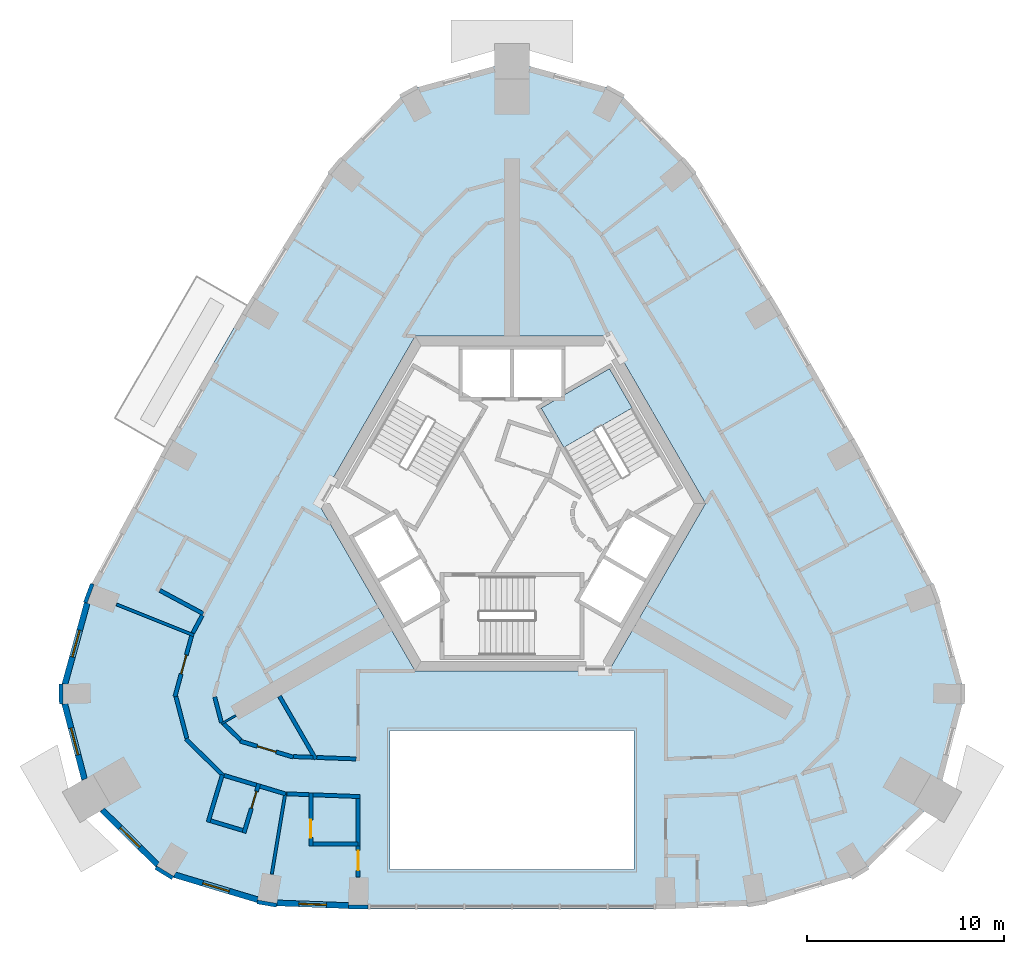
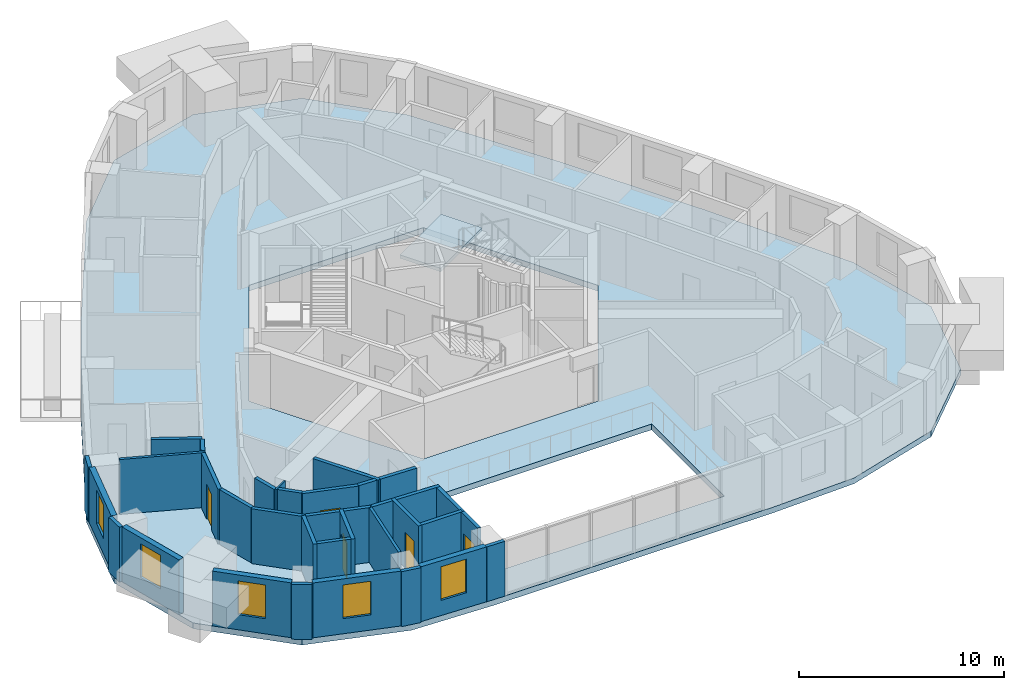
# One storey, part 3 of 11: 35 walls, 5 doors, 5 windows, 2 slabs, 10 openings, 1 element without a shape of its own.
"""IFC4 building model written with IfcOpenShell, lengths in metres."""

from ifc_helpers import new_model, si_unit, direction, frame, frame_2d, origin, place, context, subcontext, project, spatial, polyline, rectangle, outline, extrude, material, layer, layer_set, type_object, element, fill, aggregate, save


model = new_model("IFC4")

# Units and contexts
model_context = context("Model", 3, precision=1e-05, world=origin(), true_north=direction((0.0, 1.0)))
body_context = subcontext(model_context, "Body", "Model", "MODEL_VIEW")
ifc_project = project(units=[si_unit("LENGTHUNIT", "METRE"), si_unit("AREAUNIT", "SQUARE_METRE"), si_unit("VOLUMEUNIT", "CUBIC_METRE"), si_unit("PLANEANGLEUNIT", "RADIAN"), si_unit("MASSUNIT", "GRAM", prefix="KILO")], contexts=[model_context])

# Site, building, storey
site_placement = place(None, origin())
site = spatial("IfcSite", under=ifc_project, at=site_placement, CompositionType="ELEMENT")
building_placement = place(site_placement, origin())
building = spatial("IfcBuilding", under=site, at=building_placement, Name="Entoto Arch Interchange Tower", CompositionType="ELEMENT")
storey_placement = place(building_placement, frame((0.0, 0.0, 304.39990234375)))
storey = spatial("IfcBuildingStorey", under=building, at=storey_placement, Name="L71", CompositionType="ELEMENT", Elevation=304.39990234375)

# Stair, slab
ifc_material_1 = material(Name="Concrete C40/50", Category="concrete")
stair_type = type_object("IfcStairType", Name="EXIT STAIR RC 1800", PredefinedType="HALF_TURN_STAIR", material=ifc_material_1)
stair_placement = place(storey_placement, origin())
stair = element("IfcStair", 1, at=stair_placement, inside=storey, type_object=stair_type, Name="L71 Exit stair NE", PredefinedType="HALF_TURN_STAIR")
ifc_layer_1 = layer(ifc_material_1, 0.199951171875)
ifc_layer_set_1 = layer_set([ifc_layer_1], Name="Concrete C40/50")
slab_type_1 = type_object("IfcSlabType", Name="EXIT STAIR LANDING RC 200", PredefinedType="LANDING", material=ifc_layer_set_1)
slab_1_placement = place(storey_placement, frame((0.0, 0.0, 1.60009765625)))
slab_1 = element("IfcSlab", 2, at=slab_1_placement, type_object=slab_type_1, Name="ST-NE landing 1", PredefinedType="LANDING", context=body_context, shape_type="SweptSolid", body=[
    extrude(outline(polyline([(6.093505859375, 7.345947265625), (4.943359375, 9.337890625), (1.479248046875, 7.337890625), (2.62939453125, 5.345947265625), (6.093505859375, 7.345947265625)])), origin(), (0.0, 0.0, 1.0), 0.199951171875),
])
aggregate(stair, [slab_1])

# Slab
ifc_layer_2 = layer(ifc_material_1, 0.340087890625)
ifc_layer_set_2 = layer_set([ifc_layer_2], Name="Concrete C40/50")
slab_type_2 = type_object("IfcSlabType", Name="Post-tensioned flat plate 340 C40/50", PredefinedType="FLOOR", material=ifc_layer_set_2)
slab_2_placement = place(storey_placement, frame((0.0, 0.0, -0.33984375)))
element("IfcSlab", 3, at=slab_2_placement, inside=storey, type_object=slab_type_2, Name="Floor slab L71", PredefinedType="FLOOR", context=body_context, shape_type="SweptSolid", body=[
    extrude(outline(polyline([(-12.447998046875, -17.889892578125), (-7.800048828125, -18.06396484375), (7.800048828125, -18.06396484375), (12.447998046875, -17.889892578125), (17.69189453125, -16.31201171875), (21.583984375, -12.4609375), (22.971923828125, -7.1650390625), (21.556884765625, -2.01708984375), (17.595947265625, 5.35791015625), (13.43798828125, 12.56005859375), (9.031982421875, 19.677001953125), (5.281005859375, 23.47705078125), (0.0, 24.923095703125), (-5.281005859375, 23.47705078125), (-9.031982421875, 19.677001953125), (-13.43798828125, 12.56005859375), (-17.595947265625, 5.35791015625), (-21.556884765625, -2.01708984375), (-22.971923828125, -7.1650390625), (-21.583984375, -12.4609375), (-17.69189453125, -16.31201171875), (-12.447998046875, -17.889892578125)]), holes=[polyline([(6.199951171875, -16.06396484375), (6.199951171875, -9.0), (-6.199951171875, -9.0), (-6.199951171875, -16.06396484375), (6.199951171875, -16.06396484375)]), polyline([(9.81494140625, 2.5), (4.906982421875, 11.0), (-4.906982421875, 11.0), (-9.81494140625, 2.5), (-4.906982421875, -6.0), (4.906982421875, -6.0), (9.81494140625, 2.5)])]), origin(), (0.0, 0.0, 1.0), 0.33984375),
])

# Walls
ifc_material_2 = material(Name="Gypsum board partition on steel studs", Category="steel")
ifc_layer_3 = layer(ifc_material_2, 0.10009765625)
ifc_layer_set_3 = layer_set([ifc_layer_3], Name="Gypsum board partition on steel studs")
wall_type_1 = type_object("IfcWallType", Name="PARTITION 100", PredefinedType="PARTITIONING", material=ifc_layer_set_3)
wall_1_placement = place(storey_placement, frame((-14.001953125, -8.248046875, 0.0), z_axis=(0.0, 0.0, 1.0), x_axis=(-0.866142766235, -0.499796667154, 0.0)))
element("IfcWall", 4, at=wall_1_placement, inside=storey, type_object=wall_type_1, Name="wall:L71:p089", PredefinedType="PARTITIONING", context=body_context, shape_type="SweptSolid", body=[
    extrude(rectangle(XDim=0.854248046875, YDim=0.10009765625, at=frame_2d((0.42724609375, 0.0))), origin(), (0.0, 0.0, 1.0), 3.260009765625),
])
ifc_layer_4 = layer(ifc_material_2, 0.14990234375)
ifc_layer_set_4 = layer_set([ifc_layer_4], Name="Gypsum board partition on steel studs")
wall_type_2 = type_object("IfcWallType", Name="PARTITION 150", PredefinedType="PARTITIONING", material=ifc_layer_set_4)
wall_2_placement = place(storey_placement, frame((-16.137939453125, -4.18505859375, 0.0), z_axis=(0.0, 0.0, 1.0), x_axis=(-0.928432751736, 0.371500505388, 0.0)))
element("IfcWall", 5, at=wall_2_placement, inside=storey, type_object=wall_type_2, Name="wall:L71:p124", PredefinedType="PARTITIONING", context=body_context, shape_type="SweptSolid", body=[
    extrude(rectangle(XDim=4.2158203125, YDim=0.14990234375, at=frame_2d((2.10791015625, 0.0))), origin(), (0.0, 0.0, 1.0), 3.260009765625),
])
wall_3_placement = place(storey_placement, frame((-11.488037109375, -12.123046875, 0.0), z_axis=(0.0, 0.0, 1.0), x_axis=(-0.164174159643, -0.986431368776, 0.0)))
element("IfcWall", 6, at=wall_3_placement, inside=storey, type_object=wall_type_2, Name="wall:L71:p128", PredefinedType="PARTITIONING", context=body_context, shape_type="SweptSolid", body=[
    extrude(rectangle(XDim=4.226318359375, YDim=0.14990234375, at=frame_2d((2.11328125, 0.0))), origin(), (0.0, 0.0, 1.0), 3.260009765625),
])
ifc_layer_5 = layer(ifc_material_2, 0.199951171875)
ifc_layer_set_5 = layer_set([ifc_layer_5], Name="Gypsum board partition on steel studs")
wall_type_3 = type_object("IfcWallType", Name="PARTITION 200", PredefinedType="PARTITIONING", material=ifc_layer_set_5)
wall_4_placement = place(storey_placement, frame((-9.902099609375, -10.3798828125, 0.0), z_axis=(0.0, 0.0, 1.0), x_axis=(0.999295503749, -0.037529937222, 0.0)))
element("IfcWall", 7, at=wall_4_placement, inside=storey, type_object=wall_type_3, Name="wall:L71:p024", PredefinedType="PARTITIONING", context=body_context, shape_type="SweptSolid", body=[
    extrude(rectangle(XDim=2.003662109375, YDim=0.199951171875, at=frame_2d((1.001953125, 0.0))), origin(), (0.0, 0.0, 1.0), 3.260009765625),
])
wall_5_placement = place(storey_placement, frame((-15.077880859375, -7.30908203125, 0.0), z_axis=(0.0, 0.0, 1.0), x_axis=(0.254014079025, -0.967200520914, 0.0)))
element("IfcWall", 8, at=wall_5_placement, inside=storey, type_object=wall_type_3, Name="wall:L71:p027", PredefinedType="PARTITIONING", context=body_context, shape_type="SweptSolid", body=[
    extrude(rectangle(XDim=1.354248046875, YDim=0.199951171875, at=frame_2d((0.67724609375, 0.0))), origin(), (0.0, 0.0, 1.0), 3.260009765625),
])
wall_6_placement = place(storey_placement, frame((-14.6201171875, -8.659912109375, 0.0), z_axis=(0.0, 0.0, 1.0), x_axis=(0.710838137113, -0.703355630407, 0.0)))
element("IfcWall", 9, at=wall_6_placement, inside=storey, type_object=wall_type_3, Name="wall:L71:p028", PredefinedType="PARTITIONING", context=body_context, shape_type="SweptSolid", body=[
    extrude(rectangle(XDim=1.207275390625, YDim=0.199951171875, at=frame_2d((0.603515625, 0.0))), origin(), (0.0, 0.0, 1.0), 3.260009765625),
])

# Wall, opening, door
wall_7_placement = place(storey_placement, frame((-13.787109375, -9.550048828125, 0.0), z_axis=(0.0, 0.0, 1.0), x_axis=(0.957493454064, -0.288454997225, 0.0)))
wall_7 = element("IfcWall", 10, at=wall_7_placement, inside=storey, type_object=wall_type_3, Name="wall:L71:p029", PredefinedType="PARTITIONING", context=body_context, shape_type="SweptSolid", body=[
    extrude(rectangle(XDim=2.811767578125, YDim=0.199951171875, at=frame_2d((1.40576171875, 0.0))), origin(), (0.0, 0.0, 1.0), 3.260009765625),
])
opening_1_placement = place(wall_7_placement, frame((0.906005859375, 0.0, 0.0)))
opening_1 = element("IfcOpeningElement", 11, at=opening_1_placement, cuts=wall_7, Name="Opening L71-D31", PredefinedType="OPENING", context=body_context, shape_type="SweptSolid", body=[
    extrude(rectangle(XDim=1.0, YDim=2.10009765625, at=frame_2d((0.5, 1.050048828125))), frame((0.0, 0.10986328125, 0.0), z_axis=(0.0, -1.0, 0.0), x_axis=(1.0, 0.0, 0.0)), (0.0, 0.0, 1.0), 0.219970703125),
])
ifc_material_3 = material(Name="Timber door leaf in Steel S235 frame", Category="steel")
door_type_1 = type_object("IfcDoorType", Name="DOOR DS-10 1000x2100", OperationType="SINGLE_SWING_LEFT", PredefinedType="DOOR", material=ifc_material_3)
door_1_placement = place(opening_1_placement, origin())
door_1 = element("IfcDoor", 12, at=door_1_placement, inside=storey, type_object=door_type_1, Name="door:L71:31", OperationType="SINGLE_SWING_LEFT", OverallHeight=2.10009765625, OverallWidth=1.0, PredefinedType="DOOR", context=body_context, shape_type="SweptSolid", body=[
    extrude(rectangle(XDim=1.0, YDim=2.10009765625, at=frame_2d((0.5, 1.050048828125))), frame((0.0, 0.02490234375, 0.0), z_axis=(0.0, -1.0, 0.0), x_axis=(1.0, 0.0, 0.0)), (0.0, 0.0, 1.0), 0.050048828125),
])
fill(opening_1, door_1)

# Walls
wall_8_placement = place(storey_placement, frame((-11.091064453125, -10.3349609375, 0.0), z_axis=(0.0, 0.0, 1.0), x_axis=(0.999296807198, -0.037495214686, 0.0)))
element("IfcWall", 13, at=wall_8_placement, inside=storey, type_object=wall_type_3, Name="wall:L71:p030", PredefinedType="PARTITIONING", context=body_context, shape_type="SweptSolid", body=[
    extrude(rectangle(XDim=0.98974609375, YDim=0.199951171875, at=frame_2d((0.494873046875, 0.0))), origin(), (0.0, 0.0, 1.0), 3.260009765625),
])
wall_9_placement = place(storey_placement, frame((-16.18408203125, -4.05908203125, 0.0), z_axis=(0.0, 0.0, 1.0), x_axis=(0.473039108954, 0.881041430013, 0.0)))
element("IfcWall", 14, at=wall_9_placement, inside=storey, type_object=wall_type_3, Name="wall:L71:p054", PredefinedType="PARTITIONING", context=body_context, shape_type="SweptSolid", body=[
    extrude(rectangle(XDim=1.002197265625, YDim=0.199951171875, at=frame_2d((0.5009765625, 0.0))), origin(), (0.0, 0.0, 1.0), 3.260009765625),
])
wall_10_placement = place(storey_placement, frame((-11.48095703125, -12.22900390625, 0.0), z_axis=(0.0, 0.0, 1.0), x_axis=(-0.957537616046, 0.288308365917, 0.0)))
element("IfcWall", 15, at=wall_10_placement, inside=storey, type_object=wall_type_3, Name="wall:L71:p056", PredefinedType="PARTITIONING", context=body_context, shape_type="SweptSolid", body=[
    extrude(rectangle(XDim=1.352294921875, YDim=0.199951171875, at=frame_2d((0.67626953125, 0.0))), origin(), (0.0, 0.0, 1.0), 3.260009765625),
])
wall_11_placement = place(storey_placement, frame((-14.6201171875, -11.3330078125, 0.0), z_axis=(0.0, 0.0, 1.0), x_axis=(-0.710808598142, 0.703385482369, 0.0)))
element("IfcWall", 16, at=wall_11_placement, inside=storey, type_object=wall_type_3, Name="wall:L71:p057", PredefinedType="PARTITIONING", context=body_context, shape_type="SweptSolid", body=[
    extrude(rectangle(XDim=2.697021484375, YDim=0.199951171875, at=frame_2d((1.3486328125, 0.0))), origin(), (0.0, 0.0, 1.0), 3.260009765625),
])
wall_12_placement = place(storey_placement, frame((-16.490966796875, -9.409912109375, 0.0), z_axis=(0.0, 0.0, 1.0), x_axis=(-0.253618393349, 0.967304352598, 0.0)))
element("IfcWall", 17, at=wall_12_placement, inside=storey, type_object=wall_type_3, Name="wall:L71:p058", PredefinedType="PARTITIONING", context=body_context, shape_type="SweptSolid", body=[
    extrude(rectangle(XDim=2.184326171875, YDim=0.199951171875, at=frame_2d((1.09228515625, 0.0))), origin(), (0.0, 0.0, 1.0), 3.260009765625),
])

# Wall, opening, door
wall_13_placement = place(storey_placement, frame((-17.096923828125, -7.297119140625, 0.0), z_axis=(0.0, 0.0, 1.0), x_axis=(0.264861686213, 0.964286413456, 0.0)))
wall_13 = element("IfcWall", 18, at=wall_13_placement, inside=storey, type_object=wall_type_3, Name="wall:L71:p059", PredefinedType="PARTITIONING", context=body_context, shape_type="SweptSolid", body=[
    extrude(rectangle(XDim=3.291748046875, YDim=0.199951171875, at=frame_2d((1.64599609375, 0.0))), origin(), (0.0, 0.0, 1.0), 3.260009765625),
])
opening_2_placement = place(wall_13_placement, frame((1.195068359375, 0.0, 0.0)))
opening_2 = element("IfcOpeningElement", 19, at=opening_2_placement, cuts=wall_13, Name="Opening L71-D21", PredefinedType="OPENING", context=body_context, shape_type="SweptSolid", body=[
    extrude(rectangle(XDim=1.0, YDim=2.10009765625, at=frame_2d((0.5, 1.050048828125))), frame((0.0, 0.10986328125, 0.0), z_axis=(0.0, -1.0, 0.0), x_axis=(1.0, 0.0, 0.0)), (0.0, 0.0, 1.0), 0.219970703125),
])
ifc_material_4 = material(Name="Fire-rated Steel S235 door and frame", Category="steel")
door_type_2 = type_object("IfcDoorType", Name="DOOR FD-10 1000x2100", OperationType="SINGLE_SWING_LEFT", PredefinedType="DOOR", material=ifc_material_4)
door_2_placement = place(opening_2_placement, origin())
door_2 = element("IfcDoor", 20, at=door_2_placement, inside=storey, type_object=door_type_2, Name="door:L71:21", OperationType="SINGLE_SWING_RIGHT", OverallHeight=2.10009765625, OverallWidth=1.0, PredefinedType="DOOR", context=body_context, shape_type="SweptSolid", body=[
    extrude(rectangle(XDim=1.0, YDim=2.10009765625, at=frame_2d((0.5, 1.050048828125))), frame((0.0, 0.02490234375, 0.0), z_axis=(0.0, -1.0, 0.0), x_axis=(1.0, 0.0, 0.0)), (0.0, 0.0, 1.0), 0.050048828125),
])
fill(opening_2, door_2)

# Walls
wall_14_placement = place(storey_placement, frame((-12.968017578125, -11.781005859375, 0.0), z_axis=(0.0, 0.0, 1.0), x_axis=(-0.957517271828, 0.288375925054, 0.0)))
element("IfcWall", 21, at=wall_14_placement, inside=storey, type_object=wall_type_3, Name="wall:L71:p060", PredefinedType="PARTITIONING", context=body_context, shape_type="SweptSolid", body=[
    extrude(rectangle(XDim=1.69921875, YDim=0.199951171875, at=frame_2d((0.849609375, 0.0))), origin(), (0.0, 0.0, 1.0), 3.260009765625),
])
wall_15_placement = place(storey_placement, frame((-10.299072265625, -12.26611328125, 0.0), z_axis=(0.0, 0.0, 1.0), x_axis=(-0.999313019426, 0.03706061529, 0.0)))
element("IfcWall", 22, at=wall_15_placement, inside=storey, type_object=wall_type_3, Name="wall:L71:p061", PredefinedType="PARTITIONING", context=body_context, shape_type="SweptSolid", body=[
    extrude(rectangle(XDim=1.106689453125, YDim=0.199951171875, at=frame_2d((0.55322265625, 0.0))), origin(), (0.0, 0.0, 1.0), 3.260009765625),
])
wall_16_placement = place(storey_placement, frame((-7.699951171875, -12.364013671875, 0.0), z_axis=(0.0, 0.0, 1.0), x_axis=(-0.999295758095, 0.037523164215, 0.0)))
element("IfcWall", 23, at=wall_16_placement, inside=storey, type_object=wall_type_3, Name="wall:L71:p062", PredefinedType="PARTITIONING", context=body_context, shape_type="SweptSolid", body=[
    extrude(rectangle(XDim=2.40087890625, YDim=0.199951171875, at=frame_2d((1.200439453125, 0.0))), origin(), (0.0, 0.0, 1.0), 3.260009765625),
])

# Wall, opening, door
wall_17_placement = place(storey_placement, frame((-7.800048828125, -16.444091796875, 0.0), z_axis=(0.0, 0.0, 1.0), x_axis=(0.0, 1.0, 0.0)))
wall_17 = element("IfcWall", 24, at=wall_17_placement, inside=storey, type_object=wall_type_3, Name="wall:L71:p081", PredefinedType="PARTITIONING", context=body_context, shape_type="SweptSolid", body=[
    extrude(rectangle(XDim=1.583984375, YDim=0.199951171875, at=frame_2d((0.7919921875, 0.0))), origin(), (0.0, 0.0, 1.0), 3.260009765625),
])
opening_3_placement = place(wall_17_placement, frame((0.342041015625, 0.0, 0.0)))
opening_3 = element("IfcOpeningElement", 25, at=opening_3_placement, cuts=wall_17, Name="Opening L71-D23", PredefinedType="OPENING", context=body_context, shape_type="SweptSolid", body=[
    extrude(rectangle(XDim=1.0, YDim=2.10009765625, at=frame_2d((0.5, 1.050048828125))), frame((0.0, 0.10986328125, 0.0), z_axis=(0.0, -1.0, 0.0), x_axis=(1.0, 0.0, 0.0)), (0.0, 0.0, 1.0), 0.219970703125),
])
door_3_placement = place(opening_3_placement, origin())
door_3 = element("IfcDoor", 26, at=door_3_placement, inside=storey, type_object=door_type_2, Name="door:L71:23", OperationType="SINGLE_SWING_RIGHT", OverallHeight=2.10009765625, OverallWidth=1.0, PredefinedType="DOOR", context=body_context, shape_type="SweptSolid", body=[
    extrude(rectangle(XDim=1.0, YDim=2.10009765625, at=frame_2d((0.5, 1.050048828125))), frame((0.0, 0.02490234375, 0.0), z_axis=(0.0, -1.0, 0.0), x_axis=(1.0, 0.0, 0.0)), (0.0, 0.0, 1.0), 0.050048828125),
])
fill(opening_3, door_3)

# Walls
wall_18_placement = place(storey_placement, frame((-7.800048828125, -14.860107421875, 0.0), z_axis=(0.0, 0.0, 1.0), x_axis=(0.0, 1.0, 0.0)))
element("IfcWall", 27, at=wall_18_placement, inside=storey, type_object=wall_type_3, Name="wall:L71:p082", PredefinedType="PARTITIONING", context=body_context, shape_type="SweptSolid", body=[
    extrude(rectangle(XDim=2.400146484375, YDim=0.199951171875, at=frame_2d((1.2001953125, 0.0))), origin(), (0.0, 0.0, 1.0), 3.260009765625),
])
wall_19_placement = place(storey_placement, frame((-9.951904296875, -10.462890625, 0.0), z_axis=(0.0, 0.0, 1.0), x_axis=(-0.499837150608, 0.866119404512, 0.0)))
element("IfcWall", 28, at=wall_19_placement, inside=storey, type_object=wall_type_3, Name="wall:L71:p088", PredefinedType="PARTITIONING", context=body_context, shape_type="SweptSolid", body=[
    extrude(rectangle(XDim=3.685302734375, YDim=0.199951171875, at=frame_2d((1.8427734375, 0.0))), origin(), (0.0, 0.0, 1.0), 3.260009765625),
])
wall_20_placement = place(storey_placement, frame((-17.864990234375, -1.905029296875, 0.0), z_axis=(0.0, 0.0, 1.0), x_axis=(0.881022314299, -0.473074710493, 0.0)))
element("IfcWall", 29, at=wall_20_placement, inside=storey, type_object=wall_type_3, Name="wall:L71:p123", PredefinedType="PARTITIONING", context=body_context, shape_type="SweptSolid", body=[
    extrude(rectangle(XDim=2.50048828125, YDim=0.199951171875, at=frame_2d((1.250244140625, 0.0))), origin(), (0.0, 0.0, 1.0), 3.260009765625),
])
wall_21_placement = place(storey_placement, frame((-14.69091796875, -11.261962890625, 0.0), z_axis=(0.0, 0.0, 1.0), x_axis=(-0.288440595492, -0.95749779262, 0.0)))
element("IfcWall", 30, at=wall_21_placement, inside=storey, type_object=wall_type_3, Name="wall:L71:p125", PredefinedType="PARTITIONING", context=body_context, shape_type="SweptSolid", body=[
    extrude(rectangle(XDim=2.500244140625, YDim=0.199951171875, at=frame_2d((1.25, 0.0))), origin(), (0.0, 0.0, 1.0), 3.260009765625),
])
wall_22_placement = place(storey_placement, frame((-15.287109375, -13.590087890625, 0.0), z_axis=(0.0, 0.0, 1.0), x_axis=(0.957735328181, -0.287650901536, 0.0)))
element("IfcWall", 31, at=wall_22_placement, inside=storey, type_object=wall_type_3, Name="wall:L71:p126", PredefinedType="PARTITIONING", context=body_context, shape_type="SweptSolid", body=[
    extrude(rectangle(XDim=1.699951171875, YDim=0.199951171875, at=frame_2d((0.85009765625, 0.0))), origin(), (0.0, 0.0, 1.0), 3.260009765625),
])

# Wall, opening, door
wall_23_placement = place(storey_placement, frame((-13.592041015625, -14.2041015625, 0.0), z_axis=(0.0, 0.0, 1.0), x_axis=(0.288062768188, 0.95761152958, 0.0)))
wall_23 = element("IfcWall", 32, at=wall_23_placement, inside=storey, type_object=wall_type_3, Name="wall:L71:p127", PredefinedType="PARTITIONING", context=body_context, shape_type="SweptSolid", body=[
    extrude(rectangle(XDim=2.60009765625, YDim=0.199951171875, at=frame_2d((1.300048828125, 0.0))), origin(), (0.0, 0.0, 1.0), 3.260009765625),
])
opening_4_placement = place(wall_23_placement, frame((1.300048828125, 0.0, 0.0)))
opening_4 = element("IfcOpeningElement", 33, at=opening_4_placement, cuts=wall_23, Name="Opening L71-D22", PredefinedType="OPENING", context=body_context, shape_type="SweptSolid", body=[
    extrude(rectangle(XDim=0.89990234375, YDim=2.10009765625, at=frame_2d((0.449951171875, 1.050048828125))), frame((0.0, 0.10986328125, 0.0), z_axis=(0.0, -1.0, 0.0), x_axis=(1.0, 0.0, 0.0)), (0.0, 0.0, 1.0), 0.219970703125),
])
door_type_3 = type_object("IfcDoorType", Name="DOOR DS-09 900x2100", OperationType="SINGLE_SWING_LEFT", PredefinedType="DOOR", material=ifc_material_3)
door_4_placement = place(opening_4_placement, origin())
door_4 = element("IfcDoor", 34, at=door_4_placement, inside=storey, type_object=door_type_3, Name="door:L71:22", OperationType="SINGLE_SWING_RIGHT", OverallHeight=2.10009765625, OverallWidth=0.89990234375, PredefinedType="DOOR", context=body_context, shape_type="SweptSolid", body=[
    extrude(rectangle(XDim=0.89990234375, YDim=2.10009765625, at=frame_2d((0.449951171875, 1.050048828125))), frame((0.0, 0.02490234375, 0.0), z_axis=(0.0, -1.0, 0.0), x_axis=(1.0, 0.0, 0.0)), (0.0, 0.0, 1.0), 0.050048828125),
])
fill(opening_4, door_4)

wall_24_placement = place(storey_placement, frame((-10.198974609375, -12.169921875, 0.0), z_axis=(0.0, 0.0, 1.0), x_axis=(-0.000363009324, -0.999999934112, 0.0)))
wall_24 = element("IfcWall", 35, at=wall_24_placement, inside=storey, type_object=wall_type_3, Name="wall:L71:p129", PredefinedType="PARTITIONING", context=body_context, shape_type="SweptSolid", body=[
    extrude(rectangle(XDim=2.690185546875, YDim=0.199951171875, at=frame_2d((1.34521484375, 0.0))), origin(), (0.0, 0.0, 1.0), 3.260009765625),
])
opening_5_placement = place(wall_24_placement, frame((1.3720703125, 0.0, 0.0)))
opening_5 = element("IfcOpeningElement", 36, at=opening_5_placement, cuts=wall_24, Name="Opening L71-D24", PredefinedType="OPENING", context=body_context, shape_type="SweptSolid", body=[
    extrude(rectangle(XDim=0.89990234375, YDim=2.10009765625, at=frame_2d((0.449951171875, 1.050048828125))), frame((0.0, 0.10986328125, 0.0), z_axis=(0.0, -1.0, 0.0), x_axis=(1.0, 0.0, 0.0)), (0.0, 0.0, 1.0), 0.219970703125),
])
door_5_placement = place(opening_5_placement, origin())
door_5 = element("IfcDoor", 37, at=door_5_placement, inside=storey, type_object=door_type_3, Name="door:L71:24", OperationType="SINGLE_SWING_RIGHT", OverallHeight=2.10009765625, OverallWidth=0.89990234375, PredefinedType="DOOR", context=body_context, shape_type="SweptSolid", body=[
    extrude(rectangle(XDim=0.89990234375, YDim=2.10009765625, at=frame_2d((0.449951171875, 1.050048828125))), frame((0.0, 0.02490234375, 0.0), z_axis=(0.0, -1.0, 0.0), x_axis=(1.0, 0.0, 0.0)), (0.0, 0.0, 1.0), 0.050048828125),
])
fill(opening_5, door_5)

# Wall
wall_25_placement = place(storey_placement, frame((-10.10009765625, -14.760009765625, 0.0), z_axis=(0.0, 0.0, 1.0), x_axis=(1.0, 0.0, 0.0)))
element("IfcWall", 38, at=wall_25_placement, inside=storey, type_object=wall_type_3, Name="wall:L71:p130", PredefinedType="PARTITIONING", context=body_context, shape_type="SweptSolid", body=[
    extrude(rectangle(XDim=2.300048828125, YDim=0.199951171875, at=frame_2d((1.14990234375, 0.0))), origin(), (0.0, 0.0, 1.0), 3.260009765625),
])

# Wall, opening, window
ifc_material_5 = material(Name="Welded tuff (ignimbrite) cladding, warm buff", Category="masonry")
ifc_layer_6 = layer(ifc_material_5, 0.300048828125)
ifc_layer_set_6 = layer_set([ifc_layer_6], Name="Welded tuff (ignimbrite) cladding, warm buff")
wall_type_4 = type_object("IfcWallType", Name="STONE INFILL WALL 300", PredefinedType="STANDARD", material=ifc_layer_set_6)
wall_26_placement = place(storey_placement, frame((-11.919921875, -17.760009765625, 0.0), z_axis=(0.0, 0.0, 1.0), x_axis=(0.999306787149, -0.037228284377, 0.0)))
wall_26 = element("IfcWall", 39, at=wall_26_placement, inside=storey, type_object=wall_type_4, Name="Facade wall S-01 L71", PredefinedType="STANDARD", context=body_context, shape_type="SweptSolid", body=[
    extrude(rectangle(XDim=3.62646484375, YDim=0.300048828125, at=frame_2d((1.813232421875, 0.0))), origin(), (0.0, 0.0, 1.0), 3.260009765625),
])
opening_6_placement = place(wall_26_placement, frame((1.113037109375, 0.0, 0.89990234375)))
opening_6 = element("IfcOpeningElement", 40, at=opening_6_placement, cuts=wall_26, Name="Opening WH-B", PredefinedType="OPENING", context=body_context, shape_type="SweptSolid", body=[
    extrude(rectangle(XDim=1.39990234375, YDim=2.0, at=frame_2d((0.699951171875, 1.0))), frame((0.0, 0.16015625, 0.0), z_axis=(0.0, -1.0, 0.0), x_axis=(1.0, 0.0, 0.0)), (0.0, 0.0, 1.0), 0.320068359375),
])
ifc_material_6 = material(Name="Clear glass, low-e double glazed", Category="glass")
window_type = type_object("IfcWindowType", Name="WINDOW WH-B 1400x2000", PartitioningType="DOUBLE_PANEL_VERTICAL", PredefinedType="WINDOW", material=ifc_material_6)
window_1_placement = place(opening_6_placement, origin())
window_1 = element("IfcWindow", 41, at=window_1_placement, inside=storey, type_object=window_type, Name="Window WH-B S-01 L71", OverallHeight=2.0, OverallWidth=1.39990234375, PartitioningType="SINGLE_PANEL", PredefinedType="WINDOW", context=body_context, shape_type="SweptSolid", body=[
    extrude(rectangle(XDim=1.39990234375, YDim=2.0, at=frame_2d((0.699951171875, 1.0))), frame((0.0, 0.030029296875, 0.0), z_axis=(0.0, -1.0, 0.0), x_axis=(1.0, 0.0, 0.0)), (0.0, 0.0, 1.0), 0.06005859375),
])
fill(opening_6, window_1)

wall_27_placement = place(storey_placement, frame((-21.549072265625, -2.552978515625, 0.0), z_axis=(0.0, 0.0, 1.0), x_axis=(-0.264892613927, -0.964277917971, 0.0)))
wall_27 = element("IfcWall", 42, at=wall_27_placement, inside=storey, type_object=wall_type_4, Name="Facade wall SW-01 L71", PredefinedType="STANDARD", context=body_context, shape_type="SweptSolid", body=[
    extrude(rectangle(XDim=4.258056640625, YDim=0.300048828125, at=frame_2d((2.12890625, 0.0))), origin(), (0.0, 0.0, 1.0), 3.260009765625),
])
opening_7_placement = place(wall_27_placement, frame((1.428955078125, 0.0, 0.89990234375)))
opening_7 = element("IfcOpeningElement", 43, at=opening_7_placement, cuts=wall_27, Name="Opening WH-B", PredefinedType="OPENING", context=body_context, shape_type="SweptSolid", body=[
    extrude(rectangle(XDim=1.39990234375, YDim=2.0, at=frame_2d((0.699951171875, 1.0))), frame((0.0, 0.16015625, 0.0), z_axis=(0.0, -1.0, 0.0), x_axis=(1.0, 0.0, 0.0)), (0.0, 0.0, 1.0), 0.320068359375),
])
window_2_placement = place(opening_7_placement, origin())
window_2 = element("IfcWindow", 44, at=window_2_placement, inside=storey, type_object=window_type, Name="Window WH-B SW-01 L71", OverallHeight=2.0, OverallWidth=1.39990234375, PartitioningType="SINGLE_PANEL", PredefinedType="WINDOW", context=body_context, shape_type="SweptSolid", body=[
    extrude(rectangle(XDim=1.39990234375, YDim=2.0, at=frame_2d((0.699951171875, 1.0))), frame((0.0, 0.030029296875, 0.0), z_axis=(0.0, -1.0, 0.0), x_axis=(1.0, 0.0, 0.0)), (0.0, 0.0, 1.0), 0.06005859375),
])
fill(opening_7, window_2)

wall_28_placement = place(storey_placement, frame((-22.68798828125, -7.656982421875, 0.0), z_axis=(0.0, 0.0, 1.0), x_axis=(0.253402039956, -0.96736105263, 0.0)))
wall_28 = element("IfcWall", 45, at=wall_28_placement, inside=storey, type_object=wall_type_4, Name="Facade wall SW-02 L71", PredefinedType="STANDARD", context=body_context, shape_type="SweptSolid", body=[
    extrude(rectangle(XDim=3.9541015625, YDim=0.300048828125, at=frame_2d((1.97705078125, 0.0))), origin(), (0.0, 0.0, 1.0), 3.260009765625),
])
opening_8_placement = place(wall_28_placement, frame((1.277099609375, 0.0, 0.89990234375)))
opening_8 = element("IfcOpeningElement", 46, at=opening_8_placement, cuts=wall_28, Name="Opening WH-B", PredefinedType="OPENING", context=body_context, shape_type="SweptSolid", body=[
    extrude(rectangle(XDim=1.39990234375, YDim=2.0, at=frame_2d((0.699951171875, 1.0))), frame((0.0, 0.16015625, 0.0), z_axis=(0.0, -1.0, 0.0), x_axis=(1.0, 0.0, 0.0)), (0.0, 0.0, 1.0), 0.320068359375),
])
window_3_placement = place(opening_8_placement, origin())
window_3 = element("IfcWindow", 47, at=window_3_placement, inside=storey, type_object=window_type, Name="Window WH-B SW-02 L71", OverallHeight=2.0, OverallWidth=1.39990234375, PartitioningType="SINGLE_PANEL", PredefinedType="WINDOW", context=body_context, shape_type="SweptSolid", body=[
    extrude(rectangle(XDim=1.39990234375, YDim=2.0, at=frame_2d((0.699951171875, 1.0))), frame((0.0, 0.030029296875, 0.0), z_axis=(0.0, -1.0, 0.0), x_axis=(1.0, 0.0, 0.0)), (0.0, 0.0, 1.0), 0.06005859375),
])
fill(opening_8, window_3)

wall_29_placement = place(storey_placement, frame((-20.787109375, -13.0390625, 0.0), z_axis=(0.0, 0.0, 1.0), x_axis=(0.710893699296, -0.703299472701, 0.0)))
wall_29 = element("IfcWall", 48, at=wall_29_placement, inside=storey, type_object=wall_type_4, Name="Facade wall SW-03 L71", PredefinedType="STANDARD", context=body_context, shape_type="SweptSolid", body=[
    extrude(rectangle(XDim=3.954345703125, YDim=0.300048828125, at=frame_2d((1.97705078125, 0.0))), origin(), (0.0, 0.0, 1.0), 3.260009765625),
])
opening_9_placement = place(wall_29_placement, frame((1.277099609375, 0.0, 0.89990234375)))
opening_9 = element("IfcOpeningElement", 49, at=opening_9_placement, cuts=wall_29, Name="Opening WH-B", PredefinedType="OPENING", context=body_context, shape_type="SweptSolid", body=[
    extrude(rectangle(XDim=1.39990234375, YDim=2.0, at=frame_2d((0.699951171875, 1.0))), frame((0.0, 0.16015625, 0.0), z_axis=(0.0, -1.0, 0.0), x_axis=(1.0, 0.0, 0.0)), (0.0, 0.0, 1.0), 0.320068359375),
])
window_4_placement = place(opening_9_placement, origin())
window_4 = element("IfcWindow", 50, at=window_4_placement, inside=storey, type_object=window_type, Name="Window WH-B SW-03 L71", OverallHeight=2.0, OverallWidth=1.39990234375, PartitioningType="SINGLE_PANEL", PredefinedType="WINDOW", context=body_context, shape_type="SweptSolid", body=[
    extrude(rectangle(XDim=1.39990234375, YDim=2.0, at=frame_2d((0.699951171875, 1.0))), frame((0.0, 0.030029296875, 0.0), z_axis=(0.0, -1.0, 0.0), x_axis=(1.0, 0.0, 0.0)), (0.0, 0.0, 1.0), 0.06005859375),
])
fill(opening_9, window_4)

wall_30_placement = place(storey_placement, frame((-17.116943359375, -16.327880859375, 0.0), z_axis=(0.0, 0.0, 1.0), x_axis=(0.957563190743, -0.288223412884, 0.0)))
wall_30 = element("IfcWall", 51, at=wall_30_placement, inside=storey, type_object=wall_type_4, Name="Facade wall SW-04 L71", PredefinedType="STANDARD", context=body_context, shape_type="SweptSolid", body=[
    extrude(rectangle(XDim=4.399658203125, YDim=0.300048828125, at=frame_2d((2.19970703125, 0.0))), origin(), (0.0, 0.0, 1.0), 3.260009765625),
])
opening_10_placement = place(wall_30_placement, frame((1.5, 0.0, 0.89990234375)))
opening_10 = element("IfcOpeningElement", 52, at=opening_10_placement, cuts=wall_30, Name="Opening WH-B", PredefinedType="OPENING", context=body_context, shape_type="SweptSolid", body=[
    extrude(rectangle(XDim=1.39990234375, YDim=2.0, at=frame_2d((0.699951171875, 1.0))), frame((0.0, 0.16015625, 0.0), z_axis=(0.0, -1.0, 0.0), x_axis=(1.0, 0.0, 0.0)), (0.0, 0.0, 1.0), 0.320068359375),
])
window_5_placement = place(opening_10_placement, origin())
window_5 = element("IfcWindow", 53, at=window_5_placement, inside=storey, type_object=window_type, Name="Window WH-B SW-04 L71", OverallHeight=2.0, OverallWidth=1.39990234375, PartitioningType="SINGLE_PANEL", PredefinedType="WINDOW", context=body_context, shape_type="SweptSolid", body=[
    extrude(rectangle(XDim=1.39990234375, YDim=2.0, at=frame_2d((0.699951171875, 1.0))), frame((0.0, 0.030029296875, 0.0), z_axis=(0.0, -1.0, 0.0), x_axis=(1.0, 0.0, 0.0)), (0.0, 0.0, 1.0), 0.06005859375),
])
fill(opening_10, window_5)

# Walls
ifc_layer_7 = layer(ifc_material_5, 0.199951171875)
ifc_layer_set_7 = layer_set([ifc_layer_7], Name="Welded tuff (ignimbrite) cladding, warm buff")
wall_type_5 = type_object("IfcWallType", Name="STONE PIER CLADDING 200", PredefinedType="STANDARD", material=ifc_layer_set_7)
wall_31_placement = place(storey_placement, frame((-21.2880859375, -1.583984375, 0.0), z_axis=(0.0, 0.0, 1.0), x_axis=(-0.350962844851, -0.936389385637, 0.0)))
element("IfcWall", 54, at=wall_31_placement, inside=storey, type_object=wall_type_5, Name="Stone pier NW04 L71", PredefinedType="STANDARD", context=body_context, shape_type="SweptSolid", body=[
    extrude(rectangle(XDim=0.99951171875, YDim=0.199951171875, at=frame_2d((0.499755859375, 0.0))), origin(), (0.0, 0.0, 1.0), 3.260009765625),
])
for number, where, z_axis, x_axis, name in (
    (55, (-12.924072265625, -17.70703125, 0.0), (0.0, 0.0, 1.0), (0.985800545746, -0.167920469293, 0.0), "Stone pier S01 L71"),
    (56, (-8.298095703125, -17.9541015625, 0.0), (0.0, 0.0, 1.0), (0.999799669399, -0.020015520725, 0.0), "Stone pier S02 L71"),
):
    element("IfcWall", number, at=place(storey_placement, frame(where, z_axis=z_axis, x_axis=x_axis)), inside=storey, type_object=wall_type_5, Name=name, PredefinedType="STANDARD", context=body_context, shape_type="SweptSolid", body=[
        extrude(rectangle(XDim=1.000244140625, YDim=0.199951171875, at=frame_2d((0.5, 0.0))), origin(), (0.0, 0.0, 1.0), 3.260009765625),
    ])
wall_32_placement = place(storey_placement, frame((-22.884033203125, -6.6630859375, 0.0), z_axis=(0.0, 0.0, 1.0), x_axis=(0.023942303888, -0.999713341956, 0.0)))
element("IfcWall", 57, at=wall_32_placement, inside=storey, type_object=wall_type_5, Name="Stone pier SW1 L71", PredefinedType="STANDARD", context=body_context, shape_type="SweptSolid", body=[
    extrude(rectangle(XDim=0.999267578125, YDim=0.199951171875, at=frame_2d((0.49951171875, 0.0))), origin(), (0.0, 0.0, 1.0), 3.260009765625),
])
wall_33_placement = place(storey_placement, frame((-18.06689453125, -15.966064453125, 0.0), z_axis=(0.0, 0.0, 1.0), x_axis=(0.853679739553, -0.520798331677, 0.0)))
element("IfcWall", 58, at=wall_33_placement, inside=storey, type_object=wall_type_5, Name="Stone pier SW3 L71", PredefinedType="STANDARD", context=body_context, shape_type="SweptSolid", body=[
    extrude(rectangle(XDim=1.00048828125, YDim=0.199951171875, at=frame_2d((0.500244140625, 0.0))), origin(), (0.0, 0.0, 1.0), 3.260009765625),
])

save(model, "model.ifc")
